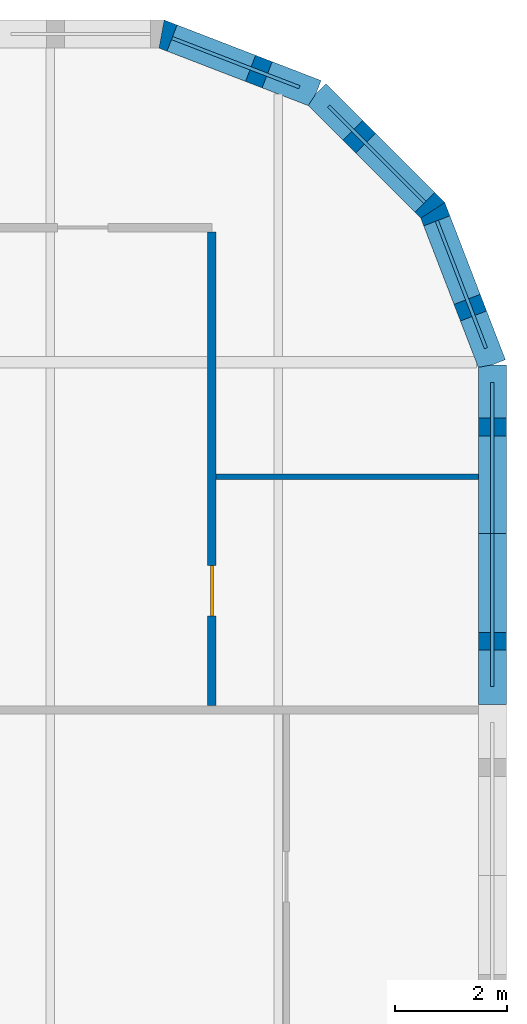
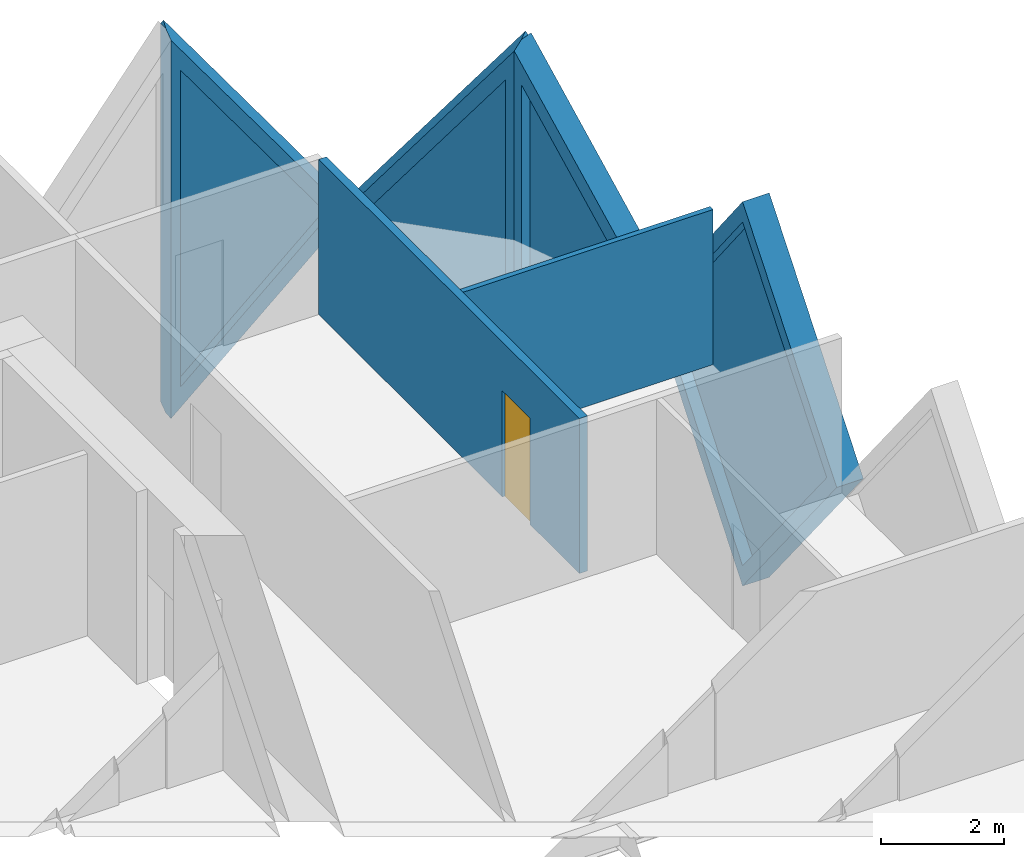
# One storey, part 16 of 20: 6 walls, 4 plates, 1 door, 5 openings.
"""IFC4 building model written with IfcOpenShell, lengths in metres."""

from ifc_helpers import new_model, si_unit, direction, frame, frame_2d, origin, place, context, subcontext, project, spatial, polyline, rectangle, outline, extrude, faceted_brep, source, transform, mapped, material, layer, layer_set, type_object, element, fill, save


model = new_model("IFC4")

# Units and contexts
model_context = context("Model", 3, precision=1e-05, world=origin(), true_north=direction((0.0, 1.0)))
body_context = subcontext(model_context, "Body", "Model", "MODEL_VIEW")
ifc_project = project(units=[si_unit("LENGTHUNIT", "METRE"), si_unit("AREAUNIT", "SQUARE_METRE"), si_unit("VOLUMEUNIT", "CUBIC_METRE"), si_unit("PLANEANGLEUNIT", "RADIAN"), si_unit("MASSUNIT", "GRAM", prefix="KILO")], contexts=[model_context])

# Site, building, storey
site_placement = place(None, origin())
site = spatial("IfcSite", under=ifc_project, at=site_placement, CompositionType="ELEMENT")
building_placement = place(site_placement, origin())
building = spatial("IfcBuilding", under=site, at=building_placement, Name="Tessera Gate Towers", CompositionType="ELEMENT")
storey_placement = place(building_placement, frame((0.0, 0.0, 48.60009765625)))
storey = spatial("IfcBuildingStorey", under=building, at=storey_placement, Name="L11", CompositionType="ELEMENT", Elevation=48.60009765625)

# Wall
ifc_material_1 = material(Name="Gypsum board on steel studs", Category="steel")
ifc_layer_1 = layer(ifc_material_1, 0.10009765625)
ifc_layer_set_1 = layer_set([ifc_layer_1], Name="PARTITION 100")
wall_type_1 = type_object("IfcWallType", Name="PARTITION 100", PredefinedType="PARTITIONING", material=ifc_layer_set_1)
wall_1_placement = place(storey_placement, frame((129.02587890625, 46.7548828125, 0.0), z_axis=(0.0, 0.0, 1.0), x_axis=(1.0, 0.0, 0.0)))
element("IfcWall", 1, at=wall_1_placement, inside=storey, type_object=wall_type_1, Name="T2-L11-PW-036", PredefinedType="PARTITIONING", context=body_context, shape_type="SweptSolid", body=[
    extrude(rectangle(XDim=4.674072265625, YDim=0.10009765625, at=frame_2d((2.3369140625, 0.0))), origin(), (0.0, 0.0, 1.0), 3.06689453125),
])

# Wall, opening, door
ifc_material_2 = material(Name="Gypsum board on steel studs, mineral wool", Category="steel")
ifc_layer_2 = layer(ifc_material_2, 0.14990234375)
ifc_layer_set_2 = layer_set([ifc_layer_2], Name="TENANCY WALL 150")
wall_type_2 = type_object("IfcWallType", Name="TENANCY WALL 150", PredefinedType="PARTITIONING", material=ifc_layer_set_2)
wall_2_placement = place(storey_placement, frame((128.949951171875, 51.1240234375, 0.0), z_axis=(0.0, 0.0, 1.0), x_axis=(0.0, -1.0, 0.0)))
wall_2 = element("IfcWall", 2, at=wall_2_placement, inside=storey, type_object=wall_type_2, Name="T2-L11-PW-035", PredefinedType="PARTITIONING", context=body_context, shape_type="SweptSolid", body=[
    extrude(rectangle(XDim=8.447998046875, YDim=0.14990234375, at=frame_2d((4.22412109375, 0.0))), origin(), (0.0, 0.0, 1.0), 3.06689453125),
])
shared_shape_1 = source(origin(), body_context, "Body", "SweptSolid", [
    extrude(rectangle(XDim=0.89990234375, YDim=2.10009765625, at=frame_2d((0.449951171875, 1.050048828125))), frame((0.0, 0.0849609375, 0.0), z_axis=(0.0, -1.0, 0.0), x_axis=(1.0, 0.0, 0.0)), (0.0, 0.0, 1.0), 0.169921875),
])
opening_1_placement = place(wall_2_placement, frame((5.947998046875, 0.0, 0.0)))
opening_1 = element("IfcOpeningElement", 3, at=opening_1_placement, cuts=wall_2, Name="Opening D190-B05-02", PredefinedType="OPENING", context=body_context, shape_type="MappedRepresentation", body=[
    mapped(shared_shape_1, transform((0.0, 0.0, 0.0), scale=1.0)),
])
ifc_material_3 = material(Name="Timber door leaf in steel frame", Category="steel")
door_type = type_object("IfcDoorType", Name="INTERNAL DOOR 900 NOT RATED", OperationType="NOTDEFINED", PredefinedType="DOOR", material=ifc_material_3)
shared_shape_2 = source(origin(), body_context, "Body", "SweptSolid", [
    extrude(rectangle(XDim=0.89990234375, YDim=2.10009765625, at=frame_2d((0.449951171875, 1.050048828125))), frame((0.0, 0.02490234375, 0.0), z_axis=(0.0, -1.0, 0.0), x_axis=(1.0, 0.0, 0.0)), (0.0, 0.0, 1.0), 0.050048828125),
])
door_placement = place(opening_1_placement, origin())
door = element("IfcDoor", 4, at=door_placement, inside=storey, type_object=door_type, Name="T2-L11-PD-003", OperationType="SINGLE_SWING_RIGHT", OverallHeight=2.10009765625, OverallWidth=0.89990234375, PredefinedType="DOOR", context=body_context, shape_type="MappedRepresentation", body=[
    mapped(shared_shape_2, transform((0.0, 0.0, 0.0), scale=1.0)),
])
fill(opening_1, door)

# Wall, opening, plate
ifc_material_4 = material(Name="Precast concrete C60/75 white", Category="concrete")
ifc_layer_3 = layer(ifc_material_4, 0.5)
ifc_layer_set_3 = layer_set([ifc_layer_3], Name="TS1 tessera")
wall_type_3 = type_object("IfcWallType", Name="TS1 tessera", PredefinedType="SOLIDWALL", material=ifc_layer_set_3)
shared_shape_3 = source(origin(), body_context, "Body", "Brep", [
    faceted_brep([(3.050048828125, -0.25, 0.0), (6.053466796875, -0.25, 3.800048828125), (3.050048828125, -0.25, 7.599853515625), (0.0, -0.25, 3.800048828125), (0.0, 0.25, 3.800048828125), (3.050048828125, 0.25, 7.599853515625), (6.0068359375, 0.25, 3.85888671875), (6.0068359375, 0.25, 3.7412109375), (3.050048828125, 0.25, 0.0), (6.053466796875, 0.0, 3.800048828125)], [[[0, 1, 2, 3]], [[4, 5, 6, 7, 8]], [[8, 7, 9, 1, 0]], [[6, 5, 2, 1, 9]], [[5, 4, 3, 2]], [[4, 8, 0, 3]], [[7, 6, 9]]]),
])
wall_3_placement = place(storey_placement, frame((133.949951171875, 42.699951171875, -3.800048828125), z_axis=(0.0, 0.0, 1.0), x_axis=(0.0, 1.0, 0.0)))
wall_3 = element("IfcWall", 5, at=wall_3_placement, inside=storey, type_object=wall_type_3, Name="Precast tessera T2 TS1-0116", PredefinedType="SOLIDWALL", context=body_context, shape_type="MappedRepresentation", body=[
    mapped(shared_shape_3, transform((0.0, 0.0, 0.0), scale=1.0)),
])
shared_shape_4 = source(origin(), body_context, "Body", "SweptSolid", [
    extrude(outline(polyline([(3.048583984375, 0.401123046875), (5.73486328125, 3.800048828125), (3.048583984375, 7.19873046875), (0.320556640625, 3.800048828125), (3.048583984375, 0.401123046875)])), frame((0.0, 0.260009765625, 0.0), z_axis=(0.0, -1.0, 0.0), x_axis=(1.0, 0.0, 0.0)), (0.0, 0.0, 1.0), 0.52001953125),
])
opening_2_placement = place(wall_3_placement, origin())
opening_2 = element("IfcOpeningElement", 6, at=opening_2_placement, cuts=wall_3, Name="Opening T2-PL2-0218", PredefinedType="OPENING", context=body_context, shape_type="MappedRepresentation", body=[
    mapped(shared_shape_4, transform((0.0, 0.0, 0.0), scale=1.0)),
])
ifc_material_5 = material(Name="Low-e laminated glass", Category="glass")
ifc_layer_4 = layer(ifc_material_5, 0.06005859375)
ifc_layer_set_4 = layer_set([ifc_layer_4], Name="PL2 rhombic pane")
plate_type = type_object("IfcPlateType", Name="PL2 rhombic pane", PredefinedType="SHEET", material=ifc_layer_set_4)
shared_shape_5 = source(origin(), body_context, "Body", "SweptSolid", [
    extrude(outline(polyline([(3.048583984375, 0.401123046875), (5.73486328125, 3.800048828125), (3.048583984375, 7.19873046875), (0.320556640625, 3.800048828125), (3.048583984375, 0.401123046875)])), frame((0.0, 0.030029296875, 0.0), z_axis=(0.0, -1.0, 0.0), x_axis=(1.0, 0.0, 0.0)), (0.0, 0.0, 1.0), 0.06005859375),
])
plate_1_placement = place(opening_2_placement, origin())
plate_1 = element("IfcPlate", 7, at=plate_1_placement, inside=storey, type_object=plate_type, Name="Glass pane T2 PL2-0218", PredefinedType="SHEET", context=body_context, shape_type="MappedRepresentation", body=[
    mapped(shared_shape_5, transform((0.0, 0.0, 0.0), scale=1.0)),
])
fill(opening_2, plate_1)

ifc_material_6 = material(Name="Precast concrete C60/75 white", Category="concrete")
ifc_layer_5 = layer(ifc_material_6, 0.5)
ifc_layer_set_5 = layer_set([ifc_layer_5], Name="TS3 corner tessera")
wall_type_4 = type_object("IfcWallType", Name="TS3 corner tessera", PredefinedType="SOLIDWALL", material=ifc_layer_set_5)
shared_shape_6 = source(origin(), body_context, "Body", "Brep", [
    faceted_brep([(2.950439453125, -0.25, 0.0), (3.00341796875, -0.25, 0.068359375), (3.00341796875, -0.25, 7.531494140625), (2.950439453125, -0.25, 7.599853515625), (0.0, -0.25, 3.800048828125), (0.046630859375, 0.25, 3.860107421875), (2.897705078125, 0.25, 7.53173828125), (2.897705078125, 0.25, 0.068115234375), (0.046630859375, 0.25, 3.739990234375), (2.950439453125, 0.00048828125, 0.0), (2.950439453125, 0.00048828125, 7.599853515625), (0.0, 0.0, 3.800048828125)], [[[0, 1, 2, 3, 4]], [[5, 6, 7, 8]], [[1, 0, 9]], [[10, 3, 2]], [[6, 5, 11, 4, 3, 10]], [[8, 7, 9, 0, 4, 11]], [[8, 11, 5]], [[1, 9, 7, 6, 10, 2]]]),
])
wall_4_placement = place(storey_placement, frame((133.949951171875, 48.75341796875, -3.800048828125), z_axis=(0.0, 0.0, 1.0), x_axis=(-0.359855894603, 0.933007896601, 0.0)))
wall_4 = element("IfcWall", 8, at=wall_4_placement, inside=storey, type_object=wall_type_4, Name="Precast corner tessera T2 TS3-0151", PredefinedType="SOLIDWALL", context=body_context, shape_type="MappedRepresentation", body=[
    mapped(shared_shape_6, transform((0.0, 0.0, 0.0), scale=1.0)),
])
shared_shape_7 = source(origin(), body_context, "Body", "SweptSolid", [
    extrude(outline(polyline([(2.75048828125, 6.934814453125), (0.31640625, 3.800048828125), (2.75048828125, 0.665283203125), (2.75048828125, 6.934814453125)])), frame((0.0, 0.260009765625, 0.0), z_axis=(0.0, -1.0, 0.0), x_axis=(1.0, 0.0, 0.0)), (0.0, 0.0, 1.0), 0.52001953125),
])
opening_3_placement = place(wall_4_placement, origin())
opening_3 = element("IfcOpeningElement", 9, at=opening_3_placement, cuts=wall_4, Name="Opening T2-PL2-0219", PredefinedType="OPENING", context=body_context, shape_type="MappedRepresentation", body=[
    mapped(shared_shape_7, transform((0.0, 0.0, 0.0), scale=1.0)),
])
shared_shape_8 = source(origin(), body_context, "Body", "SweptSolid", [
    extrude(outline(polyline([(2.75048828125, 6.934814453125), (0.31640625, 3.800048828125), (2.75048828125, 0.665283203125), (2.75048828125, 6.934814453125)])), frame((0.0, 0.030029296875, 0.0), z_axis=(0.0, -1.0, 0.0), x_axis=(1.0, 0.0, 0.0)), (0.0, 0.0, 1.0), 0.06005859375),
])
plate_2_placement = place(opening_3_placement, origin())
plate_2 = element("IfcPlate", 10, at=plate_2_placement, inside=storey, type_object=plate_type, Name="Glass pane T2 PL2-0219", PredefinedType="SHEET", context=body_context, shape_type="MappedRepresentation", body=[
    mapped(shared_shape_8, transform((0.0, 0.0, 0.0), scale=1.0)),
])
fill(opening_3, plate_2)

shared_shape_9 = source(origin(), body_context, "Body", "Brep", [
    faceted_brep([(0.052978515625, -0.25, 0.0), (2.9970703125, -0.25, 3.800048828125), (0.052978515625, -0.25, 7.599853515625), (0.0, -0.25, 7.53173828125), (0.0, -0.25, 0.068115234375), (0.10595703125, 0.25, 7.531494140625), (2.944091796875, 0.25, 3.8681640625), (2.944091796875, 0.25, 3.73193359375), (0.10595703125, 0.25, 0.068359375), (2.9970703125, 0.000244140625, 3.800048828125), (0.052978515625, 0.0, 0.0), (0.052978515625, 0.0, 7.599853515625)], [[[0, 1, 2, 3, 4]], [[5, 6, 7, 8]], [[8, 7, 9, 1, 0, 10]], [[6, 5, 11, 2, 1, 9]], [[3, 2, 11]], [[10, 0, 4]], [[8, 10, 4, 3, 11, 5]], [[7, 6, 9]]]),
])
wall_5_placement = place(storey_placement, frame((132.925537109375, 51.46875, -3.800048828125), z_axis=(0.0, 0.0, 1.0), x_axis=(-0.707066050402, 0.707147509625, 0.0)))
wall_5 = element("IfcWall", 11, at=wall_5_placement, inside=storey, type_object=wall_type_4, Name="Precast corner tessera T2 TS3-0152", PredefinedType="SOLIDWALL", context=body_context, shape_type="MappedRepresentation", body=[
    mapped(shared_shape_9, transform((0.0, 0.0, 0.0), scale=1.0)),
])
shared_shape_10 = source(origin(), body_context, "Body", "SweptSolid", [
    extrude(outline(polyline([(0.2529296875, 0.666259765625), (2.680908203125, 3.800048828125), (0.2529296875, 6.93359375), (0.2529296875, 0.666259765625)])), frame((0.0, 0.260009765625, 0.0), z_axis=(0.0, -1.0, 0.0), x_axis=(1.0, 0.0, 0.0)), (0.0, 0.0, 1.0), 0.52001953125),
])
opening_4_placement = place(wall_5_placement, origin())
opening_4 = element("IfcOpeningElement", 12, at=opening_4_placement, cuts=wall_5, Name="Opening T2-PL2-0220", PredefinedType="OPENING", context=body_context, shape_type="MappedRepresentation", body=[
    mapped(shared_shape_10, transform((0.0, 0.0, 0.0), scale=1.0)),
])
shared_shape_11 = source(origin(), body_context, "Body", "SweptSolid", [
    extrude(outline(polyline([(0.2529296875, 0.666259765625), (2.680908203125, 3.800048828125), (0.2529296875, 6.93359375), (0.2529296875, 0.666259765625)])), frame((0.0, 0.030029296875, 0.0), z_axis=(0.0, -1.0, 0.0), x_axis=(1.0, 0.0, 0.0)), (0.0, 0.0, 1.0), 0.06005859375),
])
plate_3_placement = place(opening_4_placement, origin())
plate_3 = element("IfcPlate", 13, at=plate_3_placement, inside=storey, type_object=plate_type, Name="Glass pane T2 PL2-0220", PredefinedType="SHEET", context=body_context, shape_type="MappedRepresentation", body=[
    mapped(shared_shape_11, transform((0.0, 0.0, 0.0), scale=1.0)),
])
fill(opening_4, plate_3)

shared_shape_12 = source(origin(), body_context, "Body", "Brep", [
    faceted_brep([(2.950439453125, -0.25, 0.0), (2.9970703125, -0.25, 0.05908203125), (2.9970703125, -0.25, 7.540771484375), (2.950439453125, -0.25, 7.599853515625), (0.0, -0.25, 3.800048828125), (0.052978515625, 0.25, 3.8681640625), (2.904052734375, 0.25, 7.5400390625), (2.904052734375, 0.25, 0.059814453125), (0.052978515625, 0.25, 3.73193359375), (2.950439453125, 0.00048828125, 0.0), (2.950439453125, 0.00048828125, 7.599853515625), (0.0, 0.0, 3.800048828125)], [[[0, 1, 2, 3, 4]], [[5, 6, 7, 8]], [[1, 0, 9]], [[10, 3, 2]], [[6, 5, 11, 4, 3, 10]], [[8, 7, 9, 0, 4, 11]], [[8, 11, 5]], [[1, 9, 7, 6, 10, 2]]]),
])
wall_6_placement = place(storey_placement, frame((130.80615234375, 53.588134765625, -3.800048828125), z_axis=(0.0, 0.0, 1.0), x_axis=(-0.932990326376, 0.359901446078, 0.0)))
wall_6 = element("IfcWall", 14, at=wall_6_placement, inside=storey, type_object=wall_type_4, Name="Precast corner tessera T2 TS3-0153", PredefinedType="SOLIDWALL", context=body_context, shape_type="MappedRepresentation", body=[
    mapped(shared_shape_12, transform((0.0, 0.0, 0.0), scale=1.0)),
])
opening_5_placement = place(wall_6_placement, origin())
opening_5 = element("IfcOpeningElement", 15, at=opening_5_placement, cuts=wall_6, Name="Opening T2-PL2-0221", PredefinedType="OPENING", context=body_context, shape_type="MappedRepresentation", body=[
    mapped(shared_shape_7, transform((0.0, 0.0, 0.0), scale=1.0)),
])
plate_4_placement = place(opening_5_placement, origin())
plate_4 = element("IfcPlate", 16, at=plate_4_placement, inside=storey, type_object=plate_type, Name="Glass pane T2 PL2-0221", PredefinedType="SHEET", context=body_context, shape_type="MappedRepresentation", body=[
    mapped(shared_shape_8, transform((0.0, 0.0, 0.0), scale=1.0)),
])
fill(opening_5, plate_4)

save(model, "model.ifc")
